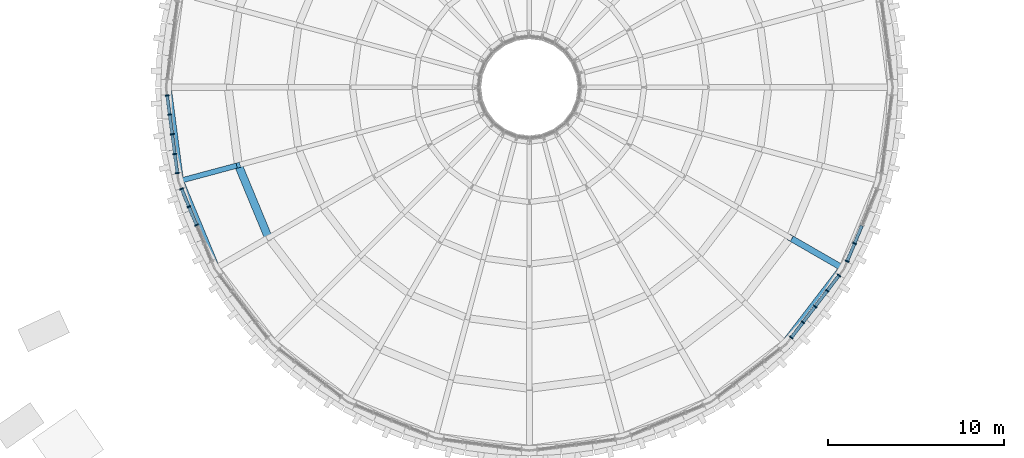
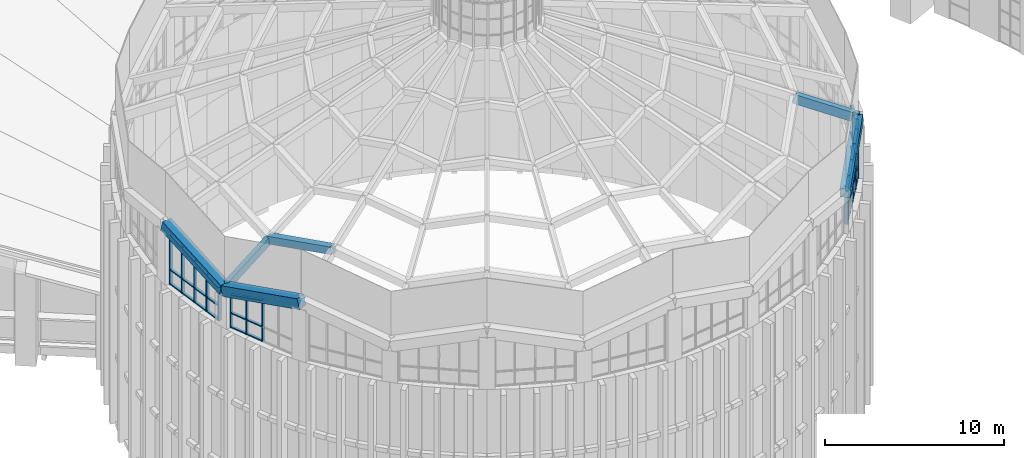
# One storey, part 8 of 82: 51 members, 6 beams, 4 elements without a shape of their own.
"""IFC4 building model written with IfcOpenShell, lengths in metres."""

from ifc_helpers import new_model, si_unit, direction, frame, origin, origin_2d, place, context, subcontext, project, spatial, rectangle, extrude, material, layer, layer_set, material_profile, profile_set, type_object, element, aggregate, save


model = new_model("IFC4")

# Units and contexts
model_context = context("Model", 3, precision=1e-05, world=origin(), true_north=direction((0.0, 1.0)))
body_context = subcontext(model_context, "Body", "Model", "MODEL_VIEW")
ifc_project = project(units=[si_unit("LENGTHUNIT", "METRE"), si_unit("AREAUNIT", "SQUARE_METRE"), si_unit("VOLUMEUNIT", "CUBIC_METRE"), si_unit("PLANEANGLEUNIT", "RADIAN"), si_unit("MASSUNIT", "GRAM", prefix="KILO")], contexts=[model_context])

# Site, building, storey
site_placement = place(None, origin())
site = spatial("IfcSite", under=ifc_project, at=site_placement, CompositionType="ELEMENT")
building_placement = place(site_placement, origin())
building = spatial("IfcBuilding", under=site, at=building_placement, Name="Volute Hill Aquarium", CompositionType="ELEMENT")
storey_placement = place(building_placement, frame((0.0, 0.0, 13.800048828125)))
storey = spatial("IfcBuildingStorey", under=building, at=storey_placement, Name="L04", CompositionType="ELEMENT", Elevation=13.800048828125)

# Curtain wall, members
ifc_material_1 = material(Name="Aluminium", Category="aluminium")
ifc_layer = layer(ifc_material_1, 0.219970703125)
ifc_layer_set = layer_set([ifc_layer], Name="Curtain wall DR clerestory module 1134")
curtain_wall_type = type_object("IfcCurtainWallType", Name="Curtain wall DR clerestory module 1134", PredefinedType="NOTDEFINED", material=ifc_layer_set)
curtain_wall_1_placement = place(storey_placement, origin())
curtain_wall_1 = element("IfcCurtainWall", 1, at=curtain_wall_1_placement, inside=storey, type_object=curtain_wall_type, Name="Curtain wall CW DR clerestory c12", PredefinedType="NOTDEFINED")
ifc_material_2 = material(Name="Aluminium", Category="aluminium")
ifc_material_profile_1 = material_profile(ifc_material_2, rectangle(XDim=0.219970703125, YDim=0.070068359375, at=origin_2d()), Name="Curtain wall mullion clerestory 70x220")
ifc_profile_set_1 = profile_set([ifc_material_profile_1], Name="Aluminium")
member_type_1 = type_object("IfcMemberType", Name="Curtain wall mullion clerestory 70x220", PredefinedType="MULLION", material=ifc_profile_set_1)
member_1_placement = place(storey_placement, frame((-20.638916015625, -0.46484375, 13.699951171875), z_axis=(0.0, 0.0, 1.0), x_axis=(0.991445853287, 0.130518657667, 0.0)))
member_1 = element("IfcMember", 2, at=member_1_placement, type_object=member_type_1, Name="Mullion DR clerestory 1", PredefinedType="MULLION", context=body_context, shape_type="SweptSolid", body=[
    extrude(rectangle(XDim=0.219970703125, YDim=0.070068359375, at=origin_2d()), origin(), (0.0, 0.0, 1.0), 3.40576171875),
])
member_2_placement = place(storey_placement, frame((-20.495361328125, -1.554443359375, 13.699951171875), z_axis=(0.0, 0.0, 1.0), x_axis=(0.991445853287, 0.130518657667, 0.0)))
member_2 = element("IfcMember", 3, at=member_2_placement, type_object=member_type_1, Name="Mullion DR clerestory 2", PredefinedType="MULLION", context=body_context, shape_type="SweptSolid", body=[
    extrude(rectangle(XDim=0.219970703125, YDim=0.070068359375, at=origin_2d()), origin(), (0.0, 0.0, 1.0), 3.12109375),
])
member_3_placement = place(storey_placement, frame((-20.347412109375, -2.6787109375, 13.699951171875), z_axis=(0.0, 0.0, 1.0), x_axis=(0.991445853287, 0.130518657667, 0.0)))
member_3 = element("IfcMember", 4, at=member_3_placement, type_object=member_type_1, Name="Mullion DR clerestory 3", PredefinedType="MULLION", context=body_context, shape_type="SweptSolid", body=[
    extrude(rectangle(XDim=0.219970703125, YDim=0.070068359375, at=origin_2d()), origin(), (0.0, 0.0, 1.0), 2.827392578125),
])
member_4_placement = place(storey_placement, frame((-20.19921875, -3.80322265625, 13.699951171875), z_axis=(0.0, 0.0, 1.0), x_axis=(0.991445853287, 0.130518657667, 0.0)))
member_4 = element("IfcMember", 5, at=member_4_placement, type_object=member_type_1, Name="Mullion DR clerestory 4", PredefinedType="MULLION", context=body_context, shape_type="SweptSolid", body=[
    extrude(rectangle(XDim=0.219970703125, YDim=0.070068359375, at=origin_2d()), origin(), (0.0, 0.0, 1.0), 2.533447265625),
])
member_5_placement = place(storey_placement, frame((-20.055908203125, -4.892822265625, 13.699951171875), z_axis=(0.0, 0.0, 1.0), x_axis=(0.991445853287, 0.130518657667, 0.0)))
member_5 = element("IfcMember", 6, at=member_5_placement, type_object=member_type_1, Name="Mullion DR clerestory 5", PredefinedType="MULLION", context=body_context, shape_type="SweptSolid", body=[
    extrude(rectangle(XDim=0.219970703125, YDim=0.070068359375, at=origin_2d()), origin(), (0.0, 0.0, 1.0), 2.248779296875),
])

curtain_wall_2_placement = place(storey_placement, origin())
curtain_wall_2 = element("IfcCurtainWall", 7, at=curtain_wall_2_placement, inside=storey, type_object=curtain_wall_type, Name="Curtain wall CW DR clerestory c13", PredefinedType="NOTDEFINED")
member_6_placement = place(storey_placement, frame((-19.815185546875, -5.790771484375, 13.699951171875), z_axis=(0.0, 0.0, 1.0), x_axis=(0.923874284426, 0.382696102118, 0.0)))
member_6 = element("IfcMember", 8, at=member_6_placement, type_object=member_type_1, Name="Mullion DR clerestory 1", PredefinedType="MULLION", context=body_context, shape_type="SweptSolid", body=[
    extrude(rectangle(XDim=0.219970703125, YDim=0.070068359375, at=origin_2d()), origin(), (0.0, 0.0, 1.0), 2.248779296875),
])
member_7_placement = place(storey_placement, frame((-19.394775390625, -6.80615234375, 13.699951171875), z_axis=(0.0, 0.0, 1.0), x_axis=(0.923874284426, 0.382696102118, 0.0)))
member_7 = element("IfcMember", 9, at=member_7_placement, type_object=member_type_1, Name="Mullion DR clerestory 2", PredefinedType="MULLION", context=body_context, shape_type="SweptSolid", body=[
    extrude(rectangle(XDim=0.219970703125, YDim=0.070068359375, at=origin_2d()), origin(), (0.0, 0.0, 1.0), 2.533447265625),
])
member_8_placement = place(storey_placement, frame((-18.960693359375, -7.853759765625, 13.699951171875), z_axis=(0.0, 0.0, 1.0), x_axis=(0.923874284426, 0.382696102118, 0.0)))
member_8 = element("IfcMember", 10, at=member_8_placement, type_object=member_type_1, Name="Mullion DR clerestory 3", PredefinedType="MULLION", context=body_context, shape_type="SweptSolid", body=[
    extrude(rectangle(XDim=0.219970703125, YDim=0.070068359375, at=origin_2d()), origin(), (0.0, 0.0, 1.0), 2.827392578125),
])

curtain_wall_3_placement = place(storey_placement, origin())
curtain_wall_3 = element("IfcCurtainWall", 11, at=curtain_wall_3_placement, inside=storey, type_object=curtain_wall_type, Name="Curtain wall CW DR clerestory c21", PredefinedType="NOTDEFINED")
member_9_placement = place(storey_placement, frame((14.922607421875, -14.26513671875, 13.699951171875), z_axis=(0.0, 0.0, 1.0), x_axis=(-0.793354013303, 0.608760551921, 0.0)))
member_9 = element("IfcMember", 12, at=member_9_placement, type_object=member_type_1, Name="Mullion DR clerestory 1", PredefinedType="MULLION", context=body_context, shape_type="SweptSolid", body=[
    extrude(rectangle(XDim=0.219970703125, YDim=0.070068359375, at=origin_2d()), origin(), (0.0, 0.0, 1.0), 2.248779296875),
])
member_10_placement = place(storey_placement, frame((15.591552734375, -13.393310546875, 13.699951171875), z_axis=(0.0, 0.0, 1.0), x_axis=(-0.793354013303, 0.608760551921, 0.0)))
member_10 = element("IfcMember", 13, at=member_10_placement, type_object=member_type_1, Name="Mullion DR clerestory 2", PredefinedType="MULLION", context=body_context, shape_type="SweptSolid", body=[
    extrude(rectangle(XDim=0.219970703125, YDim=0.070068359375, at=origin_2d()), origin(), (0.0, 0.0, 1.0), 2.533447265625),
])
member_11_placement = place(storey_placement, frame((16.281982421875, -12.49365234375, 13.699951171875), z_axis=(0.0, 0.0, 1.0), x_axis=(-0.793354013303, 0.608760551921, 0.0)))
member_11 = element("IfcMember", 14, at=member_11_placement, type_object=member_type_1, Name="Mullion DR clerestory 3", PredefinedType="MULLION", context=body_context, shape_type="SweptSolid", body=[
    extrude(rectangle(XDim=0.219970703125, YDim=0.070068359375, at=origin_2d()), origin(), (0.0, 0.0, 1.0), 2.827392578125),
])
member_12_placement = place(storey_placement, frame((16.97216796875, -11.593994140625, 13.699951171875), z_axis=(0.0, 0.0, 1.0), x_axis=(-0.793354013303, 0.608760551921, 0.0)))
member_12 = element("IfcMember", 15, at=member_12_placement, type_object=member_type_1, Name="Mullion DR clerestory 4", PredefinedType="MULLION", context=body_context, shape_type="SweptSolid", body=[
    extrude(rectangle(XDim=0.219970703125, YDim=0.070068359375, at=origin_2d()), origin(), (0.0, 0.0, 1.0), 3.12109375),
])
member_13_placement = place(storey_placement, frame((17.641357421875, -10.721923828125, 13.699951171875), z_axis=(0.0, 0.0, 1.0), x_axis=(-0.793354013303, 0.608760551921, 0.0)))
member_13 = element("IfcMember", 16, at=member_13_placement, type_object=member_type_1, Name="Mullion DR clerestory 5", PredefinedType="MULLION", context=body_context, shape_type="SweptSolid", body=[
    extrude(rectangle(XDim=0.219970703125, YDim=0.070068359375, at=origin_2d()), origin(), (0.0, 0.0, 1.0), 3.40576171875),
])

curtain_wall_4_placement = place(storey_placement, origin())
curtain_wall_4 = element("IfcCurtainWall", 17, at=curtain_wall_4_placement, inside=storey, type_object=curtain_wall_type, Name="Curtain wall CW DR clerestory c22", PredefinedType="NOTDEFINED")
member_14_placement = place(storey_placement, frame((18.106201171875, -9.916748046875, 13.699951171875), z_axis=(0.0, 0.0, 1.0), x_axis=(-0.923874284426, 0.382696102118, 0.0)))
member_14 = element("IfcMember", 18, at=member_14_placement, type_object=member_type_1, Name="Mullion DR clerestory 1", PredefinedType="MULLION", context=body_context, shape_type="SweptSolid", body=[
    extrude(rectangle(XDim=0.219970703125, YDim=0.070068359375, at=origin_2d()), origin(), (0.0, 0.0, 1.0), 3.40576171875),
])
member_15_placement = place(storey_placement, frame((18.526611328125, -8.9013671875, 13.699951171875), z_axis=(0.0, 0.0, 1.0), x_axis=(-0.923874284426, 0.382696102118, 0.0)))
member_15 = element("IfcMember", 19, at=member_15_placement, type_object=member_type_1, Name="Mullion DR clerestory 2", PredefinedType="MULLION", context=body_context, shape_type="SweptSolid", body=[
    extrude(rectangle(XDim=0.219970703125, YDim=0.070068359375, at=origin_2d()), origin(), (0.0, 0.0, 1.0), 3.12109375),
])

# Member
ifc_material_3 = material(Name="Aluminium", Category="aluminium")
ifc_material_profile_2 = material_profile(ifc_material_3, rectangle(XDim=0.179931640625, YDim=0.070068359375, at=origin_2d()), Name="Curtain wall transom clerestory 70x180")
ifc_profile_set_2 = profile_set([ifc_material_profile_2], Name="Aluminium")
member_type_2 = type_object("IfcMemberType", Name="Curtain wall transom clerestory 70x180", PredefinedType="USERDEFINED", material=ifc_profile_set_2)
member_16_placement = place(storey_placement, frame((-20.63427734375, -0.49951171875, 13.73486328125), z_axis=(0.130485197808, -0.991450257528, 0.0), x_axis=(0.991450257528, 0.130485197808, 0.0)))
member_16 = element("IfcMember", 20, at=member_16_placement, type_object=member_type_2, Name="Transom DR clerestory 1.1", ObjectType="TRANSOM", PredefinedType="USERDEFINED", context=body_context, shape_type="SweptSolid", body=[
    extrude(rectangle(XDim=0.179931640625, YDim=0.070068359375, at=origin_2d()), origin(), (0.0, 0.0, 1.0), 1.029052734375),
])

member_17_placement = place(storey_placement, frame((-20.63427734375, -0.49951171875, 14.699951171875), z_axis=(0.130485197808, -0.991450257528, 0.0), x_axis=(0.991450257528, 0.130485197808, 0.0)))
member_17 = element("IfcMember", 21, at=member_17_placement, type_object=member_type_2, Name="Transom DR clerestory 1.2", ObjectType="TRANSOM", PredefinedType="USERDEFINED", context=body_context, shape_type="SweptSolid", body=[
    extrude(rectangle(XDim=0.179931640625, YDim=0.070068359375, at=origin_2d()), origin(), (0.0, 0.0, 1.0), 1.029052734375),
])

member_18_placement = place(storey_placement, frame((-20.63427734375, -0.49951171875, 17.061767578125), z_axis=(0.126314997828, -0.959764319859, -0.250792686596), x_axis=(0.991450257528, 0.130485197808, 0.0)))
member_18 = element("IfcMember", 22, at=member_18_placement, type_object=member_type_2, Name="Head member DR clerestory 1", ObjectType="TRANSOM", PredefinedType="USERDEFINED", context=body_context, shape_type="SweptSolid", body=[
    extrude(rectangle(XDim=0.179931640625, YDim=0.070068359375, at=origin_2d()), origin(), (0.0, 0.0, 1.0), 1.06298828125),
])

member_19_placement = place(storey_placement, frame((-20.49072265625, -1.589111328125, 13.73486328125), z_axis=(0.1305554124, -0.991441014026, 0.0), x_axis=(0.991441014026, 0.1305554124, 0.0)))
member_19 = element("IfcMember", 23, at=member_19_placement, type_object=member_type_2, Name="Transom DR clerestory 2.1", ObjectType="TRANSOM", PredefinedType="USERDEFINED", context=body_context, shape_type="SweptSolid", body=[
    extrude(rectangle(XDim=0.179931640625, YDim=0.070068359375, at=origin_2d()), origin(), (0.0, 0.0, 1.0), 1.06396484375),
])

member_20_placement = place(storey_placement, frame((-20.49072265625, -1.589111328125, 14.699951171875), z_axis=(0.1305554124, -0.991441014026, 0.0), x_axis=(0.991441014026, 0.1305554124, 0.0)))
member_20 = element("IfcMember", 24, at=member_20_placement, type_object=member_type_2, Name="Transom DR clerestory 2.2", ObjectType="TRANSOM", PredefinedType="USERDEFINED", context=body_context, shape_type="SweptSolid", body=[
    extrude(rectangle(XDim=0.179931640625, YDim=0.070068359375, at=origin_2d()), origin(), (0.0, 0.0, 1.0), 1.06396484375),
])

member_21_placement = place(storey_placement, frame((-20.49072265625, -1.589111328125, 16.777099609375), z_axis=(0.126376743366, -0.959708098571, -0.250976660816), x_axis=(0.991441014026, 0.1305554124, 0.0)))
member_21 = element("IfcMember", 25, at=member_21_placement, type_object=member_type_2, Name="Head member DR clerestory 2", ObjectType="TRANSOM", PredefinedType="USERDEFINED", context=body_context, shape_type="SweptSolid", body=[
    extrude(rectangle(XDim=0.179931640625, YDim=0.070068359375, at=origin_2d()), origin(), (0.0, 0.0, 1.0), 1.09912109375),
])

member_22_placement = place(storey_placement, frame((-20.3427734375, -2.71337890625, 13.73486328125), z_axis=(0.1305554124, -0.991441014026, 0.0), x_axis=(0.991441014026, 0.1305554124, 0.0)))
member_22 = element("IfcMember", 26, at=member_22_placement, type_object=member_type_2, Name="Transom DR clerestory 3.1", ObjectType="TRANSOM", PredefinedType="USERDEFINED", context=body_context, shape_type="SweptSolid", body=[
    extrude(rectangle(XDim=0.179931640625, YDim=0.070068359375, at=origin_2d()), origin(), (0.0, 0.0, 1.0), 1.06396484375),
])

member_23_placement = place(storey_placement, frame((-20.3427734375, -2.71337890625, 14.699951171875), z_axis=(0.1305554124, -0.991441014026, 0.0), x_axis=(0.991441014026, 0.1305554124, 0.0)))
member_23 = element("IfcMember", 27, at=member_23_placement, type_object=member_type_2, Name="Transom DR clerestory 3.2", ObjectType="TRANSOM", PredefinedType="USERDEFINED", context=body_context, shape_type="SweptSolid", body=[
    extrude(rectangle(XDim=0.179931640625, YDim=0.070068359375, at=origin_2d()), origin(), (0.0, 0.0, 1.0), 1.06396484375),
])

member_24_placement = place(storey_placement, frame((-20.3427734375, -2.71337890625, 16.483154296875), z_axis=(0.126383785423, -0.959761576118, -0.250768530302), x_axis=(0.991441014026, 0.1305554124, 0.0)))
member_24 = element("IfcMember", 28, at=member_24_placement, type_object=member_type_2, Name="Head member DR clerestory 3", ObjectType="TRANSOM", PredefinedType="USERDEFINED", context=body_context, shape_type="SweptSolid", body=[
    extrude(rectangle(XDim=0.179931640625, YDim=0.070068359375, at=origin_2d()), origin(), (0.0, 0.0, 1.0), 1.09912109375),
])

member_25_placement = place(storey_placement, frame((-20.19482421875, -3.837890625, 13.73486328125), z_axis=(0.130515897359, -0.991446216664, 0.0), x_axis=(0.991446216664, 0.130515897359, 0.0)))
member_25 = element("IfcMember", 29, at=member_25_placement, type_object=member_type_2, Name="Transom DR clerestory 4.1", ObjectType="TRANSOM", PredefinedType="USERDEFINED", context=body_context, shape_type="SweptSolid", body=[
    extrude(rectangle(XDim=0.179931640625, YDim=0.070068359375, at=origin_2d()), origin(), (0.0, 0.0, 1.0), 1.02880859375),
])

member_26_placement = place(storey_placement, frame((-20.19482421875, -3.837890625, 14.699951171875), z_axis=(0.130515897359, -0.991446216664, 0.0), x_axis=(0.991446216664, 0.130515897359, 0.0)))
member_26 = element("IfcMember", 30, at=member_26_placement, type_object=member_type_2, Name="Transom DR clerestory 4.2", ObjectType="TRANSOM", PredefinedType="USERDEFINED", context=body_context, shape_type="SweptSolid", body=[
    extrude(rectangle(XDim=0.179931640625, YDim=0.070068359375, at=origin_2d()), origin(), (0.0, 0.0, 1.0), 1.02880859375),
])

member_27_placement = place(storey_placement, frame((-20.19482421875, -3.837890625, 16.189453125), z_axis=(0.126342846429, -0.959746204329, -0.250847978728), x_axis=(0.991446216664, 0.130515897359, 0.0)))
member_27 = element("IfcMember", 31, at=member_27_placement, type_object=member_type_2, Name="Head member DR clerestory 4", ObjectType="TRANSOM", PredefinedType="USERDEFINED", context=body_context, shape_type="SweptSolid", body=[
    extrude(rectangle(XDim=0.179931640625, YDim=0.070068359375, at=origin_2d()), origin(), (0.0, 0.0, 1.0), 1.062744140625),
])

aggregate(curtain_wall_1, [member_1, member_2, member_3, member_4, member_5, member_16, member_17, member_18, member_19, member_20, member_21, member_22, member_23, member_24, member_25, member_26, member_27])

member_28_placement = place(storey_placement, frame((-19.8017578125, -5.8232421875, 13.73486328125), z_axis=(0.382777942923, -0.923840379293, 0.0), x_axis=(0.923840379293, 0.382777942923, 0.0)))
member_28 = element("IfcMember", 32, at=member_28_placement, type_object=member_type_2, Name="Transom DR clerestory 1.1", ObjectType="TRANSOM", PredefinedType="USERDEFINED", context=body_context, shape_type="SweptSolid", body=[
    extrude(rectangle(XDim=0.179931640625, YDim=0.070068359375, at=origin_2d()), origin(), (0.0, 0.0, 1.0), 1.02880859375),
])

member_29_placement = place(storey_placement, frame((-19.8017578125, -5.8232421875, 14.699951171875), z_axis=(0.382777942923, -0.923840379293, 0.0), x_axis=(0.923840379293, 0.382777942923, 0.0)))
member_29 = element("IfcMember", 33, at=member_29_placement, type_object=member_type_2, Name="Transom DR clerestory 1.2", ObjectType="TRANSOM", PredefinedType="USERDEFINED", context=body_context, shape_type="SweptSolid", body=[
    extrude(rectangle(XDim=0.179931640625, YDim=0.070068359375, at=origin_2d()), origin(), (0.0, 0.0, 1.0), 1.02880859375),
])

member_30_placement = place(storey_placement, frame((-19.8017578125, -5.8232421875, 15.9228515625), z_axis=(0.370538555568, -0.894300432006, 0.250854372399), x_axis=(0.923840379293, 0.382777942923, 0.0)))
member_30 = element("IfcMember", 34, at=member_30_placement, type_object=member_type_2, Name="Head member DR clerestory 1", ObjectType="TRANSOM", PredefinedType="USERDEFINED", context=body_context, shape_type="SweptSolid", body=[
    extrude(rectangle(XDim=0.179931640625, YDim=0.070068359375, at=origin_2d()), origin(), (0.0, 0.0, 1.0), 1.062744140625),
])

member_31_placement = place(storey_placement, frame((-19.38134765625, -6.83837890625, 13.73486328125), z_axis=(0.382675987972, -0.923882616045, 0.0), x_axis=(0.923882616045, 0.382675987972, 0.0)))
member_31 = element("IfcMember", 35, at=member_31_placement, type_object=member_type_2, Name="Transom DR clerestory 2.1", ObjectType="TRANSOM", PredefinedType="USERDEFINED", context=body_context, shape_type="SweptSolid", body=[
    extrude(rectangle(XDim=0.179931640625, YDim=0.070068359375, at=origin_2d()), origin(), (0.0, 0.0, 1.0), 1.064208984375),
])

member_32_placement = place(storey_placement, frame((-19.38134765625, -6.83837890625, 14.699951171875), z_axis=(0.382675987972, -0.923882616045, 0.0), x_axis=(0.923882616045, 0.382675987972, 0.0)))
member_32 = element("IfcMember", 36, at=member_32_placement, type_object=member_type_2, Name="Transom DR clerestory 2.2", ObjectType="TRANSOM", PredefinedType="USERDEFINED", context=body_context, shape_type="SweptSolid", body=[
    extrude(rectangle(XDim=0.179931640625, YDim=0.070068359375, at=origin_2d()), origin(), (0.0, 0.0, 1.0), 1.064208984375),
])

member_33_placement = place(storey_placement, frame((-19.38134765625, -6.83837890625, 16.20751953125), z_axis=(0.37045091668, -0.894368010473, 0.250742856674), x_axis=(0.923882616045, 0.382675987972, 0.0)))
member_33 = element("IfcMember", 37, at=member_33_placement, type_object=member_type_2, Name="Head member DR clerestory 2", ObjectType="TRANSOM", PredefinedType="USERDEFINED", context=body_context, shape_type="SweptSolid", body=[
    extrude(rectangle(XDim=0.179931640625, YDim=0.070068359375, at=origin_2d()), origin(), (0.0, 0.0, 1.0), 1.099365234375),
])

aggregate(curtain_wall_2, [member_6, member_7, member_8, member_28, member_29, member_30, member_31, member_32, member_33])

member_34_placement = place(storey_placement, frame((14.94384765625, -14.2373046875, 13.73486328125), z_axis=(0.608770172228, 0.793346631306, 0.0), x_axis=(-0.793346631306, 0.608770172228, 0.0)))
member_34 = element("IfcMember", 38, at=member_34_placement, type_object=member_type_2, Name="Transom DR clerestory 1.1", ObjectType="TRANSOM", PredefinedType="USERDEFINED", context=body_context, shape_type="SweptSolid", body=[
    extrude(rectangle(XDim=0.179931640625, YDim=0.070068359375, at=origin_2d()), origin(), (0.0, 0.0, 1.0), 1.029052734375),
])

member_35_placement = place(storey_placement, frame((14.94384765625, -14.2373046875, 14.699951171875), z_axis=(0.608770172228, 0.793346631306, 0.0), x_axis=(-0.793346631306, 0.608770172228, 0.0)))
member_35 = element("IfcMember", 39, at=member_35_placement, type_object=member_type_2, Name="Transom DR clerestory 1.2", ObjectType="TRANSOM", PredefinedType="USERDEFINED", context=body_context, shape_type="SweptSolid", body=[
    extrude(rectangle(XDim=0.179931640625, YDim=0.070068359375, at=origin_2d()), origin(), (0.0, 0.0, 1.0), 1.029052734375),
])

member_36_placement = place(storey_placement, frame((14.94384765625, -14.2373046875, 15.9228515625), z_axis=(0.589314533966, 0.767992128442, 0.250791687876), x_axis=(-0.793346631306, 0.608770172228, 0.0)))
member_36 = element("IfcMember", 40, at=member_36_placement, type_object=member_type_2, Name="Head member DR clerestory 1", ObjectType="TRANSOM", PredefinedType="USERDEFINED", context=body_context, shape_type="SweptSolid", body=[
    extrude(rectangle(XDim=0.179931640625, YDim=0.070068359375, at=origin_2d()), origin(), (0.0, 0.0, 1.0), 1.06298828125),
])

member_37_placement = place(storey_placement, frame((15.61279296875, -13.365478515625, 13.73486328125), z_axis=(0.608701247669, 0.793399515431, 0.0), x_axis=(-0.793399515431, 0.608701247669, 0.0)))
member_37 = element("IfcMember", 41, at=member_37_placement, type_object=member_type_2, Name="Transom DR clerestory 2.1", ObjectType="TRANSOM", PredefinedType="USERDEFINED", context=body_context, shape_type="SweptSolid", body=[
    extrude(rectangle(XDim=0.179931640625, YDim=0.070068359375, at=origin_2d()), origin(), (0.0, 0.0, 1.0), 1.06396484375),
])

member_38_placement = place(storey_placement, frame((15.61279296875, -13.365478515625, 14.699951171875), z_axis=(0.608701247669, 0.793399515431, 0.0), x_axis=(-0.793399515431, 0.608701247669, 0.0)))
member_38 = element("IfcMember", 42, at=member_38_placement, type_object=member_type_2, Name="Transom DR clerestory 2.2", ObjectType="TRANSOM", PredefinedType="USERDEFINED", context=body_context, shape_type="SweptSolid", body=[
    extrude(rectangle(XDim=0.179931640625, YDim=0.070068359375, at=origin_2d()), origin(), (0.0, 0.0, 1.0), 1.06396484375),
])

member_39_placement = place(storey_placement, frame((15.61279296875, -13.365478515625, 16.20751953125), z_axis=(0.589252801041, 0.768049825103, 0.250760049896), x_axis=(-0.793399515431, 0.608701247669, 0.0)))
member_39 = element("IfcMember", 43, at=member_39_placement, type_object=member_type_2, Name="Head member DR clerestory 2", ObjectType="TRANSOM", PredefinedType="USERDEFINED", context=body_context, shape_type="SweptSolid", body=[
    extrude(rectangle(XDim=0.179931640625, YDim=0.070068359375, at=origin_2d()), origin(), (0.0, 0.0, 1.0), 1.09912109375),
])

member_40_placement = place(storey_placement, frame((16.30322265625, -12.4658203125, 13.73486328125), z_axis=(0.608701247669, 0.793399515431, 0.0), x_axis=(-0.793399515431, 0.608701247669, 0.0)))
member_40 = element("IfcMember", 44, at=member_40_placement, type_object=member_type_2, Name="Transom DR clerestory 3.1", ObjectType="TRANSOM", PredefinedType="USERDEFINED", context=body_context, shape_type="SweptSolid", body=[
    extrude(rectangle(XDim=0.179931640625, YDim=0.070068359375, at=origin_2d()), origin(), (0.0, 0.0, 1.0), 1.06396484375),
])

member_41_placement = place(storey_placement, frame((16.30322265625, -12.4658203125, 14.699951171875), z_axis=(0.608701247669, 0.793399515431, 0.0), x_axis=(-0.793399515431, 0.608701247669, 0.0)))
member_41 = element("IfcMember", 45, at=member_41_placement, type_object=member_type_2, Name="Transom DR clerestory 3.2", ObjectType="TRANSOM", PredefinedType="USERDEFINED", context=body_context, shape_type="SweptSolid", body=[
    extrude(rectangle(XDim=0.179931640625, YDim=0.070068359375, at=origin_2d()), origin(), (0.0, 0.0, 1.0), 1.06396484375),
])

member_42_placement = place(storey_placement, frame((16.30322265625, -12.4658203125, 16.501220703125), z_axis=(0.589219970321, 0.768007032556, 0.250968174317), x_axis=(-0.793399515431, 0.608701247669, 0.0)))
member_42 = element("IfcMember", 46, at=member_42_placement, type_object=member_type_2, Name="Head member DR clerestory 3", ObjectType="TRANSOM", PredefinedType="USERDEFINED", context=body_context, shape_type="SweptSolid", body=[
    extrude(rectangle(XDim=0.179931640625, YDim=0.070068359375, at=origin_2d()), origin(), (0.0, 0.0, 1.0), 1.099365234375),
])

member_43_placement = place(storey_placement, frame((16.99365234375, -11.566162109375, 13.73486328125), z_axis=(0.608620818261, 0.793461214918, 0.0), x_axis=(-0.793461214918, 0.608620818261, 0.0)))
member_43 = element("IfcMember", 47, at=member_43_placement, type_object=member_type_2, Name="Transom DR clerestory 4.1", ObjectType="TRANSOM", PredefinedType="USERDEFINED", context=body_context, shape_type="SweptSolid", body=[
    extrude(rectangle(XDim=0.179931640625, YDim=0.070068359375, at=origin_2d()), origin(), (0.0, 0.0, 1.0), 1.02880859375),
])

member_44_placement = place(storey_placement, frame((16.99365234375, -11.566162109375, 14.699951171875), z_axis=(0.608620818261, 0.793461214918, 0.0), x_axis=(-0.793461214918, 0.608620818261, 0.0)))
member_44 = element("IfcMember", 48, at=member_44_placement, type_object=member_type_2, Name="Transom DR clerestory 4.2", ObjectType="TRANSOM", PredefinedType="USERDEFINED", context=body_context, shape_type="SweptSolid", body=[
    extrude(rectangle(XDim=0.179931640625, YDim=0.070068359375, at=origin_2d()), origin(), (0.0, 0.0, 1.0), 1.02880859375),
])

member_45_placement = place(storey_placement, frame((16.99365234375, -11.566162109375, 16.795166015625), z_axis=(0.58916460075, 0.768096072089, 0.250825631196), x_axis=(-0.793461214918, 0.608620818261, 0.0)))
member_45 = element("IfcMember", 49, at=member_45_placement, type_object=member_type_2, Name="Head member DR clerestory 4", ObjectType="TRANSOM", PredefinedType="USERDEFINED", context=body_context, shape_type="SweptSolid", body=[
    extrude(rectangle(XDim=0.179931640625, YDim=0.070068359375, at=origin_2d()), origin(), (0.0, 0.0, 1.0), 1.06298828125),
])

aggregate(curtain_wall_3, [member_9, member_10, member_11, member_12, member_13, member_34, member_35, member_36, member_37, member_38, member_39, member_40, member_41, member_42, member_43, member_44, member_45])

member_46_placement = place(storey_placement, frame((18.11962890625, -9.884521484375, 13.73486328125), z_axis=(0.382694041496, 0.923875137994, 0.0), x_axis=(-0.923875137994, 0.382694041496, 0.0)))
member_46 = element("IfcMember", 50, at=member_46_placement, type_object=member_type_2, Name="Transom DR clerestory 1.1", ObjectType="TRANSOM", PredefinedType="USERDEFINED", context=body_context, shape_type="SweptSolid", body=[
    extrude(rectangle(XDim=0.179931640625, YDim=0.070068359375, at=origin_2d()), origin(), (0.0, 0.0, 1.0), 1.029052734375),
])

member_47_placement = place(storey_placement, frame((18.11962890625, -9.884521484375, 14.699951171875), z_axis=(0.382694041496, 0.923875137994, 0.0), x_axis=(-0.923875137994, 0.382694041496, 0.0)))
member_47 = element("IfcMember", 51, at=member_47_placement, type_object=member_type_2, Name="Transom DR clerestory 1.2", ObjectType="TRANSOM", PredefinedType="USERDEFINED", context=body_context, shape_type="SweptSolid", body=[
    extrude(rectangle(XDim=0.179931640625, YDim=0.070068359375, at=origin_2d()), origin(), (0.0, 0.0, 1.0), 1.029052734375),
])

member_48_placement = place(storey_placement, frame((18.11962890625, -9.884521484375, 17.061767578125), z_axis=(0.370462446249, 0.894346413946, -0.250802846438), x_axis=(-0.923875137994, 0.382694041496, 0.0)))
member_48 = element("IfcMember", 52, at=member_48_placement, type_object=member_type_2, Name="Head member DR clerestory 1", ObjectType="TRANSOM", PredefinedType="USERDEFINED", context=body_context, shape_type="SweptSolid", body=[
    extrude(rectangle(XDim=0.179931640625, YDim=0.070068359375, at=origin_2d()), origin(), (0.0, 0.0, 1.0), 1.06298828125),
])

member_49_placement = place(storey_placement, frame((18.5400390625, -8.869140625, 13.73486328125), z_axis=(0.38275711533, 0.923849008585, 0.0), x_axis=(-0.923849008585, 0.38275711533, 0.0)))
member_49 = element("IfcMember", 53, at=member_49_placement, type_object=member_type_2, Name="Transom DR clerestory 2.1", ObjectType="TRANSOM", PredefinedType="USERDEFINED", context=body_context, shape_type="SweptSolid", body=[
    extrude(rectangle(XDim=0.179931640625, YDim=0.070068359375, at=origin_2d()), origin(), (0.0, 0.0, 1.0), 1.06396484375),
])

member_50_placement = place(storey_placement, frame((18.5400390625, -8.869140625, 14.699951171875), z_axis=(0.38275711533, 0.923849008585, 0.0), x_axis=(-0.923849008585, 0.38275711533, 0.0)))
member_50 = element("IfcMember", 54, at=member_50_placement, type_object=member_type_2, Name="Transom DR clerestory 2.2", ObjectType="TRANSOM", PredefinedType="USERDEFINED", context=body_context, shape_type="SweptSolid", body=[
    extrude(rectangle(XDim=0.179931640625, YDim=0.070068359375, at=origin_2d()), origin(), (0.0, 0.0, 1.0), 1.06396484375),
])

member_51_placement = place(storey_placement, frame((18.5400390625, -8.869140625, 16.777099609375), z_axis=(0.3705038637, 0.894273714183, -0.251000818934), x_axis=(-0.923849008585, 0.38275711533, 0.0)))
member_51 = element("IfcMember", 55, at=member_51_placement, type_object=member_type_2, Name="Head member DR clerestory 2", ObjectType="TRANSOM", PredefinedType="USERDEFINED", context=body_context, shape_type="SweptSolid", body=[
    extrude(rectangle(XDim=0.179931640625, YDim=0.070068359375, at=origin_2d()), origin(), (0.0, 0.0, 1.0), 1.09912109375),
])

aggregate(curtain_wall_4, [member_14, member_15, member_46, member_47, member_48, member_49, member_50, member_51])

# Beams
ifc_material_4 = material(Name="Concrete C40/50", Category="concrete")
ifc_material_profile_3 = material_profile(ifc_material_4, rectangle(XDim=0.60009765625, YDim=0.699951171875, at=origin_2d()), Name="RC beam 600x700")
ifc_profile_set_3 = profile_set([ifc_material_profile_3], Name="Concrete C40/50")
beam_type_1 = type_object("IfcBeamType", Name="Dome shell eave ring beam 600x700", PredefinedType="BEAM", material=ifc_profile_set_3)
beam_1_placement = place(storey_placement, frame((-20.699951171875, 0.0, 17.51611328125), z_axis=(0.126350331942, -0.959763944084, -0.250776325148), x_axis=(0.991445528216, 0.130521126954, 0.0)))
element("IfcBeam", 56, at=beam_1_placement, inside=storey, type_object=beam_type_1, Name="rb/DR/L04/eave.12", PredefinedType="BEAM", context=body_context, shape_type="SweptSolid", body=[
    extrude(rectangle(XDim=0.60009765625, YDim=0.699951171875, at=origin_2d()), origin(), (0.0, 0.0, 1.0), 5.582275390625),
])
for number, where, z_axis, x_axis, name in (
    (57, (-19.99462890625, -5.357666015625, 16.1162109375), (0.370444717355, -0.894359389043, 0.250782763791), (0.923883575944, 0.382673670509, 0.0), "rb/DR/L04/eave.13"),
    (58, (14.63720703125, -14.63720703125, 16.1162109375), (0.58930025924, 0.768005978347, 0.250782817759), (-0.793359055165, 0.608753981167, 0.0), "rb/DR/L04/eave.21"),
):
    element("IfcBeam", number, at=place(storey_placement, frame(where, z_axis=z_axis, x_axis=x_axis)), inside=storey, type_object=beam_type_1, Name=name, PredefinedType="BEAM", context=body_context, shape_type="SweptSolid", body=[
        extrude(rectangle(XDim=0.60009765625, YDim=0.699951171875, at=origin_2d()), origin(), (0.0, 0.0, 1.0), 5.58203125),
    ])
ifc_material_5 = material(Name="Concrete C40/50", Category="concrete")
ifc_material_profile_4 = material_profile(ifc_material_5, rectangle(XDim=0.35009765625, YDim=0.60009765625, at=origin_2d()), Name="RC rib 350x600")
ifc_profile_set_4 = profile_set([ifc_material_profile_4], Name="Concrete C40/50")
beam_type_2 = type_object("IfcBeamType", Name="Dome shell ridge rib 350x600", PredefinedType="BEAM", material=ifc_profile_set_4)
beam_2_placement = place(storey_placement, frame((17.9267578125, -10.35009765625, 17.556884765625), z_axis=(-0.80977897668, 0.467539824873, 0.354491919631), x_axis=(-0.500011000363, -0.866019052629, 0.0)))
element("IfcBeam", 59, at=beam_2_placement, inside=storey, type_object=beam_type_2, Name="rb/DR/L04/ridge0.22", PredefinedType="BEAM", context=body_context, shape_type="SweptSolid", body=[
    extrude(rectangle(XDim=0.35009765625, YDim=0.60009765625, at=origin_2d()), origin(), (0.0, 0.0, 1.0), 3.785888671875),
])
ifc_material_6 = material(Name="Concrete C40/50", Category="concrete")
ifc_material_profile_5 = material_profile(ifc_material_6, rectangle(XDim=0.449951171875, YDim=0.5, at=origin_2d()), Name="RC beam 450x500")
ifc_profile_set_5 = profile_set([ifc_material_profile_5], Name="Concrete C40/50")
beam_type_3 = type_object("IfcBeamType", Name="Dome shell ring beam 450x500", PredefinedType="BEAM", material=ifc_profile_set_5)
beam_3_placement = place(storey_placement, frame((-16.5751953125, -4.44140625, 17.801025390625), z_axis=(0.37041738407, -0.894361984725, 0.250813878916), x_axis=(0.923893950929, 0.382648621371, 0.0)))
element("IfcBeam", 60, at=beam_3_placement, inside=storey, type_object=beam_type_3, Name="rb/DR/L04/ring1.13", PredefinedType="BEAM", context=body_context, shape_type="SweptSolid", body=[
    extrude(rectangle(XDim=0.449951171875, YDim=0.5, at=origin_2d()), origin(), (0.0, 0.0, 1.0), 4.62744140625),
])
ifc_material_7 = material(Name="Concrete C40/50", Category="concrete")
ifc_material_profile_6 = material_profile(ifc_material_7, rectangle(XDim=0.300048828125, YDim=0.5, at=origin_2d()), Name="RC rib 300x500")
ifc_profile_set_6 = profile_set([ifc_material_profile_6], Name="Concrete C40/50")
beam_type_4 = type_object("IfcBeamType", Name="Dome shell valley rib 300x500", PredefinedType="BEAM", material=ifc_profile_set_6)
beam_4_placement = place(storey_placement, frame((-19.99462890625, -5.357666015625, 16.203857421875), z_axis=(0.881914511416, 0.236314805179, 0.407899629084), x_axis=(-0.258825711959, 0.965924039886, 0.0)))
element("IfcBeam", 61, at=beam_4_placement, inside=storey, type_object=beam_type_4, Name="rb/DR/L04/valley0.13", PredefinedType="BEAM", context=body_context, shape_type="SweptSolid", body=[
    extrude(rectangle(XDim=0.300048828125, YDim=0.5, at=origin_2d()), origin(), (0.0, 0.0, 1.0), 3.877197265625),
])

save(model, "model.ifc")
